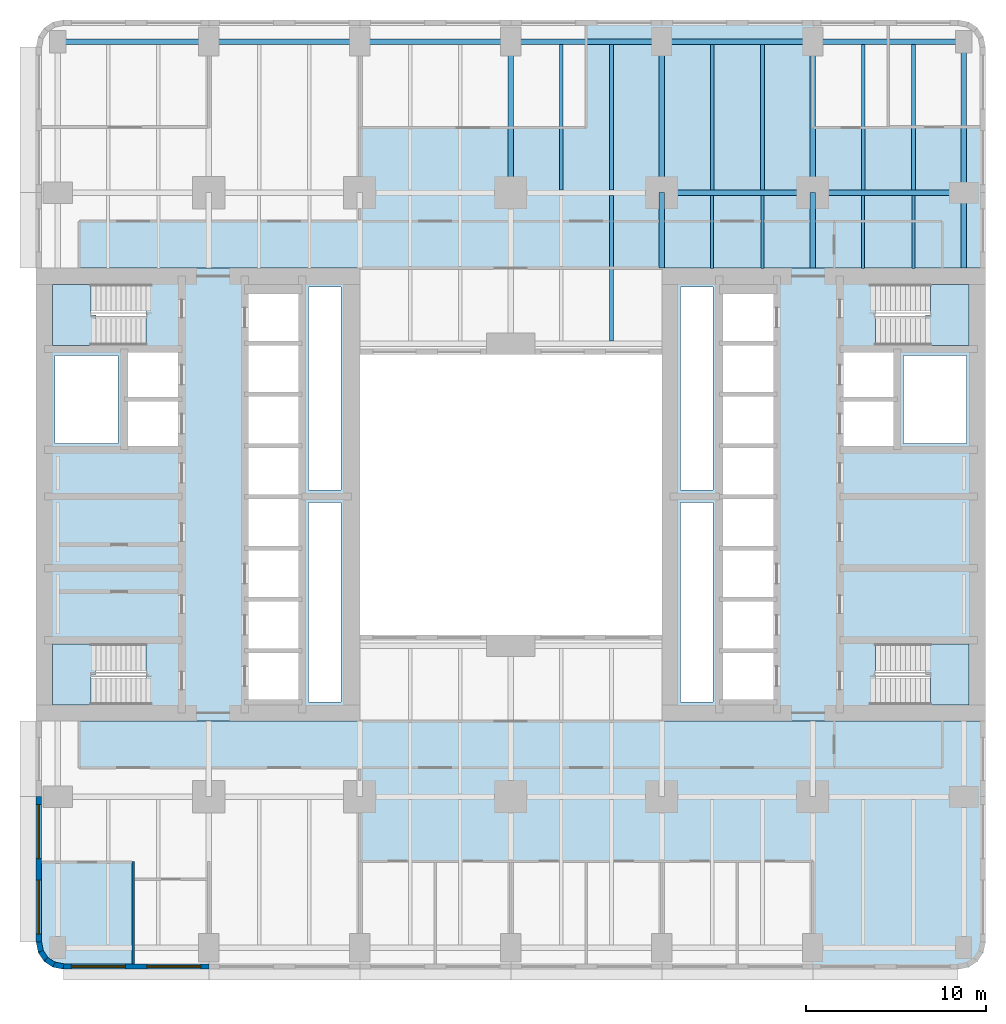
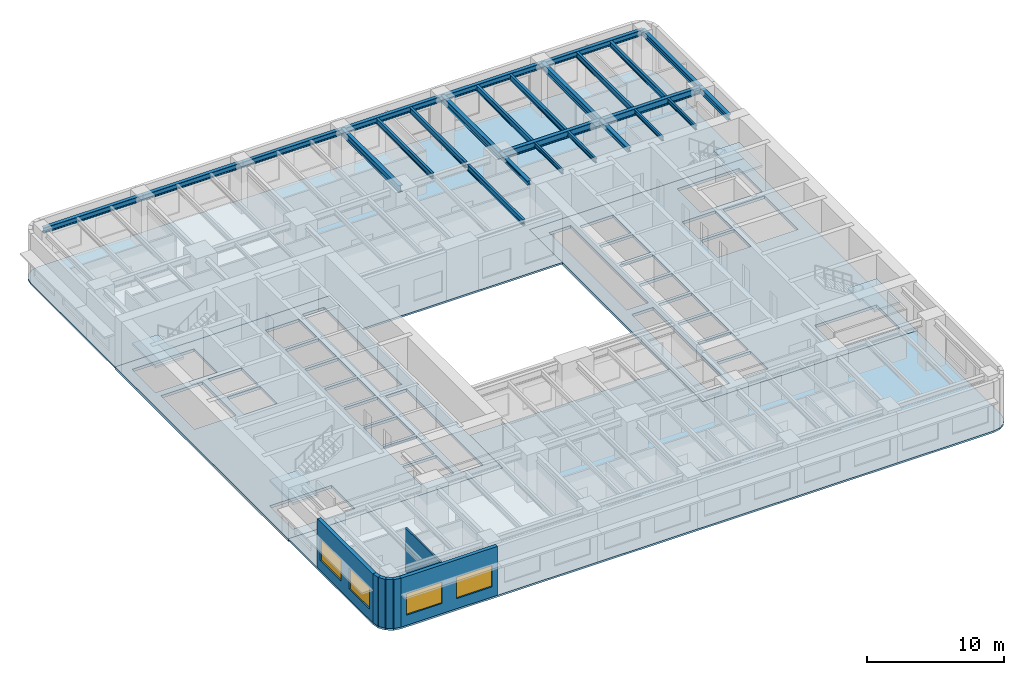
# One storey, part 2 of 12: 26 beams, 8 slabs, 7 walls, 4 windows, 4 openings, 4 elements without a shape of their own.
"""IFC4 building model written with IfcOpenShell, lengths in metres."""

from ifc_helpers import new_model, si_unit, direction, frame, frame_2d, origin, origin_2d, place, context, subcontext, project, spatial, polyline, rectangle, i_section, outline, extrude, material, layer, layer_set, material_profile, profile_set, type_object, element, fill, aggregate, save


model = new_model("IFC4")

# Units and contexts
model_context = context("Model", 3, precision=1e-05, world=origin(), true_north=direction((0.0, 1.0)))
body_context = subcontext(model_context, "Body", "Model", "MODEL_VIEW")
ifc_project = project(units=[si_unit("LENGTHUNIT", "METRE"), si_unit("AREAUNIT", "SQUARE_METRE"), si_unit("VOLUMEUNIT", "CUBIC_METRE"), si_unit("PLANEANGLEUNIT", "RADIAN"), si_unit("MASSUNIT", "GRAM", prefix="KILO")], contexts=[model_context])

# Site, building, storey
site_placement = place(None, origin())
site = spatial("IfcSite", under=ifc_project, at=site_placement, CompositionType="ELEMENT")
building_placement = place(site_placement, origin())
building = spatial("IfcBuilding", under=site, at=building_placement, Name="Claustro Exchange Tower", CompositionType="ELEMENT")
storey_placement = place(building_placement, frame((0.0, 0.0, 68.39990234375)))
storey = spatial("IfcBuildingStorey", under=building, at=storey_placement, Name="L15", CompositionType="ELEMENT", Elevation=68.39990234375)

# Beams
ifc_material_1 = material(Name="Steel S355", Category="steel")
ifc_material_profile_1 = material_profile(ifc_material_1, i_section(OverallWidth=0.300048828125, OverallDepth=0.60009765625, WebThickness=0.015380859375, FlangeThickness=0.030029296875, FilletRadius=0.027099609375, at=origin_2d()), Name="HE 600 B")
ifc_profile_set_1 = profile_set([ifc_material_profile_1], Name="Steel S355")
beam_type_1 = type_object("IfcBeamType", Name="B1 HE 600 B floor girder", PredefinedType="BEAM", material=ifc_profile_set_1)
for number, where, z_axis, x_axis, name in (
    (1, (25.199951171875, 42.0, 4.0400390625), (0.0, 1.0, 0.0), (-1.0, 0.0, 0.0), "Beam B1 L16"),
    (2, (33.60009765625, 42.0, 4.0400390625), (0.0, 1.0, 0.0), (-1.0, 0.0, 0.0), "Beam B1 L16"),
    (3, (42.0, 42.0, 4.0400390625), (0.0, 1.0, 0.0), (-1.0, 0.0, 0.0), "Beam B1 L16"),
    (4, (33.60009765625, 42.0, 4.0400390625), (1.0, 0.0, 0.0), (0.0, 1.0, 0.0), "Beam B1 L16"),
    (5, (42.0, 42.0, 4.0400390625), (1.0, 0.0, 0.0), (0.0, 1.0, 0.0), "Beam B1 L16"),
):
    element("IfcBeam", number, at=place(storey_placement, frame(where, z_axis=z_axis, x_axis=x_axis)), inside=storey, type_object=beam_type_1, Name=name, PredefinedType="BEAM", context=body_context, shape_type="SweptSolid", body=[
        extrude(i_section(OverallWidth=0.300048828125, OverallDepth=0.60009765625, WebThickness=0.015380859375, FlangeThickness=0.030029296875, FilletRadius=0.027099609375, at=origin_2d()), origin(), (0.0, 0.0, 1.0), 8.39990234375),
    ])
ifc_material_2 = material(Name="Steel S355", Category="steel")
ifc_material_profile_2 = material_profile(ifc_material_2, i_section(OverallWidth=0.169921875, OverallDepth=0.360107421875, WebThickness=0.008056640625, FlangeThickness=0.0126953125, FilletRadius=0.01806640625, at=origin_2d()), Name="IPE 360")
ifc_profile_set_2 = profile_set([ifc_material_profile_2], Name="Steel S355")
beam_type_2 = type_object("IfcBeamType", Name="B16 IPE 360 short-span beam", PredefinedType="BEAM", material=ifc_profile_set_2)
for number, where, z_axis, x_axis, name in (
    (6, (36.39990234375, 37.7900390625, 4.16015625), (0.0, 1.0, 0.0), (-1.0, 0.0, 0.0), "Beam B16 L16"),
    (7, (39.199951171875, 37.7900390625, 4.16015625), (0.0, 1.0, 0.0), (-1.0, 0.0, 0.0), "Beam B16 L16"),
    (8, (44.800048828125, 37.7900390625, 4.16015625), (0.0, 1.0, 0.0), (-1.0, 0.0, 0.0), "Beam B16 L16"),
    (9, (47.60009765625, 37.7900390625, 4.16015625), (0.0, 1.0, 0.0), (-1.0, 0.0, 0.0), "Beam B16 L16"),
):
    element("IfcBeam", number, at=place(storey_placement, frame(where, z_axis=z_axis, x_axis=x_axis)), inside=storey, type_object=beam_type_2, Name=name, PredefinedType="BEAM", context=body_context, shape_type="SweptSolid", body=[
        extrude(i_section(OverallWidth=0.169921875, OverallDepth=0.360107421875, WebThickness=0.008056640625, FlangeThickness=0.0126953125, FilletRadius=0.01806640625, at=origin_2d()), origin(), (0.0, 0.0, 1.0), 4.06005859375),
    ])
ifc_material_3 = material(Name="Steel S355", Category="steel")
ifc_material_profile_3 = material_profile(ifc_material_3, i_section(OverallWidth=0.199951171875, OverallDepth=0.5, WebThickness=0.01025390625, FlangeThickness=0.01611328125, FilletRadius=0.02099609375, at=origin_2d()), Name="IPE 500")
ifc_profile_set_3 = profile_set([ifc_material_profile_3], Name="Steel S355")
beam_type_3 = type_object("IfcBeamType", Name="B2 IPE 500 secondary beam", PredefinedType="BEAM", material=ifc_profile_set_3)
for number, where, z_axis, x_axis, name in (
    (10, (30.800048828125, 33.75, 4.090087890625), (0.0, 1.0, 0.0), (-1.0, 0.0, 0.0), "Beam B2 L16"),
    (11, (28.0, 42.14990234375, 4.090087890625), (0.0, 1.0, 0.0), (-1.0, 0.0, 0.0), "Beam B2 L16"),
    (12, (30.800048828125, 42.14990234375, 4.090087890625), (0.0, 1.0, 0.0), (-1.0, 0.0, 0.0), "Beam B2 L16"),
    (13, (36.39990234375, 42.14990234375, 4.090087890625), (0.0, 1.0, 0.0), (-1.0, 0.0, 0.0), "Beam B2 L16"),
    (14, (39.199951171875, 42.14990234375, 4.090087890625), (0.0, 1.0, 0.0), (-1.0, 0.0, 0.0), "Beam B2 L16"),
    (15, (44.800048828125, 42.14990234375, 4.090087890625), (0.0, 1.0, 0.0), (-1.0, 0.0, 0.0), "Beam B2 L16"),
    (16, (47.60009765625, 42.14990234375, 4.090087890625), (0.0, 1.0, 0.0), (-1.0, 0.0, 0.0), "Beam B2 L16"),
):
    element("IfcBeam", number, at=place(storey_placement, frame(where, z_axis=z_axis, x_axis=x_axis)), inside=storey, type_object=beam_type_3, Name=name, PredefinedType="BEAM", context=body_context, shape_type="SweptSolid", body=[
        extrude(i_section(OverallWidth=0.199951171875, OverallDepth=0.5, WebThickness=0.01025390625, FlangeThickness=0.01611328125, FilletRadius=0.02099609375, at=origin_2d()), origin(), (0.0, 0.0, 1.0), 8.10009765625),
    ])
ifc_material_4 = material(Name="Steel S355", Category="steel")
ifc_material_profile_4 = material_profile(ifc_material_4, i_section(OverallWidth=0.300048828125, OverallDepth=0.360107421875, WebThickness=0.012451171875, FlangeThickness=0.0224609375, FilletRadius=0.027099609375, at=origin_2d()), Name="HE 360 B")
ifc_profile_set_4 = profile_set([ifc_material_profile_4], Name="Steel S355")
beam_type_4 = type_object("IfcBeamType", Name="B29 HE 360 B column to core link beam", PredefinedType="BEAM", material=ifc_profile_set_4)
for number, where, z_axis, x_axis, name in (
    (17, (33.60009765625, 37.800048828125, 4.16015625), (0.0, 1.0, 0.0), (-1.0, 0.0, 0.0), "Beam B29 L16"),
    (18, (42.0, 37.800048828125, 4.16015625), (0.0, 1.0, 0.0), (-1.0, 0.0, 0.0), "Beam B29 L16"),
):
    element("IfcBeam", number, at=place(storey_placement, frame(where, z_axis=z_axis, x_axis=x_axis)), inside=storey, type_object=beam_type_4, Name=name, PredefinedType="BEAM", context=body_context, shape_type="SweptSolid", body=[
        extrude(i_section(OverallWidth=0.300048828125, OverallDepth=0.360107421875, WebThickness=0.012451171875, FlangeThickness=0.0224609375, FilletRadius=0.027099609375, at=origin_2d()), origin(), (0.0, 0.0, 1.0), 4.199951171875),
    ])
ifc_material_5 = material(Name="Steel S355", Category="steel")
ifc_material_profile_5 = material_profile(ifc_material_5, i_section(OverallWidth=0.300048828125, OverallDepth=0.5, WebThickness=0.014404296875, FlangeThickness=0.028076171875, FilletRadius=0.027099609375, at=origin_2d()), Name="HE 500 B")
ifc_profile_set_5 = profile_set([ifc_material_profile_5], Name="Steel S355")
beam_type_5 = type_object("IfcBeamType", Name="B3 HE 500 B spandrel edge girder", PredefinedType="SPANDREL", material=ifc_profile_set_5)
beam_1_placement = place(storey_placement, frame((50.39990234375, 37.800048828125, 4.090087890625), z_axis=(0.0, 1.0, 0.0), x_axis=(-1.0, 0.0, 0.0)))
element("IfcBeam", 19, at=beam_1_placement, inside=storey, type_object=beam_type_5, Name="Beam B3 L16", PredefinedType="SPANDREL", context=body_context, shape_type="SweptSolid", body=[
    extrude(i_section(OverallWidth=0.300048828125, OverallDepth=0.5, WebThickness=0.014404296875, FlangeThickness=0.028076171875, FilletRadius=0.027099609375, at=origin_2d()), origin(), (0.0, 0.0, 1.0), 4.199951171875),
])
for number, where, z_axis, x_axis, name in (
    (20, (50.39990234375, 42.0, 4.090087890625), (0.0, 1.0, 0.0), (-1.0, 0.0, 0.0), "Beam B3 L16"),
    (21, (0.0, 50.39990234375, 4.090087890625), (1.0, 0.0, 0.0), (0.0, 1.0, 0.0), "Beam B3 L16"),
):
    element("IfcBeam", number, at=place(storey_placement, frame(where, z_axis=z_axis, x_axis=x_axis)), inside=storey, type_object=beam_type_5, Name=name, PredefinedType="SPANDREL", context=body_context, shape_type="SweptSolid", body=[
        extrude(i_section(OverallWidth=0.300048828125, OverallDepth=0.5, WebThickness=0.014404296875, FlangeThickness=0.028076171875, FilletRadius=0.027099609375, at=origin_2d()), origin(), (0.0, 0.0, 1.0), 8.39990234375),
    ])
beam_2_placement = place(storey_placement, frame((8.39990234375, 50.39990234375, 4.090087890625), z_axis=(1.0, 0.0, 0.0), x_axis=(0.0, 1.0, 0.0)))
element("IfcBeam", 22, at=beam_2_placement, inside=storey, type_object=beam_type_5, Name="Beam B3 L16", PredefinedType="SPANDREL", context=body_context, shape_type="SweptSolid", body=[
    extrude(i_section(OverallWidth=0.300048828125, OverallDepth=0.5, WebThickness=0.014404296875, FlangeThickness=0.028076171875, FilletRadius=0.027099609375, at=origin_2d()), origin(), (0.0, 0.0, 1.0), 8.400146484375),
])
beam_3_placement = place(storey_placement, frame((16.800048828125, 50.39990234375, 4.090087890625), z_axis=(1.0, 0.0, 0.0), x_axis=(0.0, 1.0, 0.0)))
element("IfcBeam", 23, at=beam_3_placement, inside=storey, type_object=beam_type_5, Name="Beam B3 L16", PredefinedType="SPANDREL", context=body_context, shape_type="SweptSolid", body=[
    extrude(i_section(OverallWidth=0.300048828125, OverallDepth=0.5, WebThickness=0.014404296875, FlangeThickness=0.028076171875, FilletRadius=0.027099609375, at=origin_2d()), origin(), (0.0, 0.0, 1.0), 8.39990234375),
])
beam_4_placement = place(storey_placement, frame((25.199951171875, 50.39990234375, 4.090087890625), z_axis=(1.0, 0.0, 0.0), x_axis=(0.0, 1.0, 0.0)))
element("IfcBeam", 24, at=beam_4_placement, inside=storey, type_object=beam_type_5, Name="Beam B3 L16", PredefinedType="SPANDREL", context=body_context, shape_type="SweptSolid", body=[
    extrude(i_section(OverallWidth=0.300048828125, OverallDepth=0.5, WebThickness=0.014404296875, FlangeThickness=0.028076171875, FilletRadius=0.027099609375, at=origin_2d()), origin(), (0.0, 0.0, 1.0), 8.400146484375),
])
for number, where, z_axis, x_axis, name in (
    (25, (33.60009765625, 50.39990234375, 4.090087890625), (1.0, 0.0, 0.0), (0.0, 1.0, 0.0), "Beam B3 L16"),
    (26, (42.0, 50.39990234375, 4.090087890625), (1.0, 0.0, 0.0), (0.0, 1.0, 0.0), "Beam B3 L16"),
):
    element("IfcBeam", number, at=place(storey_placement, frame(where, z_axis=z_axis, x_axis=x_axis)), inside=storey, type_object=beam_type_5, Name=name, PredefinedType="SPANDREL", context=body_context, shape_type="SweptSolid", body=[
        extrude(i_section(OverallWidth=0.300048828125, OverallDepth=0.5, WebThickness=0.014404296875, FlangeThickness=0.028076171875, FilletRadius=0.027099609375, at=origin_2d()), origin(), (0.0, 0.0, 1.0), 8.39990234375),
    ])

# Slabs
ifc_material_6 = material(Name="Concrete HA-50 (C50/60)", Category="concrete")
ifc_layer_1 = layer(ifc_material_6, 0.159912109375)
ifc_layer_set_1 = layer_set([ifc_layer_1], Name="Concrete HA-50 (C50/60)")
slab_type_1 = type_object("IfcSlabType", Name="S1 160 composite floor slab", PredefinedType="FLOOR", material=ifc_layer_set_1)
slab_1_placement = place(storey_placement, frame((0.0, 0.0, -0.159912109375)))
element("IfcSlab", 27, at=slab_1_placement, inside=storey, type_object=slab_type_1, Name="Floor slab S1 S L15", PredefinedType="FLOOR", context=body_context, shape_type="SweptSolid", body=[
    extrude(outline(polyline([(-0.27392578125, -1.085693359375), (0.300048828125, -1.199951171875), (50.10009765625, -1.199951171875), (50.674072265625, -1.085693359375), (51.16064453125, -0.7607421875), (51.48583984375, -0.27392578125), (51.60009765625, 0.300048828125), (51.60009765625, 12.60009765625), (33.60009765625, 12.60009765625), (33.60009765625, 17.39990234375), (16.800048828125, 17.39990234375), (16.800048828125, 12.60009765625), (-1.199951171875, 12.60009765625), (-1.199951171875, 0.300048828125), (-1.085693359375, -0.27392578125), (-0.7607421875, -0.7607421875), (-0.27392578125, -1.085693359375)])), origin(), (0.0, 0.0, 1.0), 0.159912109375),
])
slab_2_placement = place(storey_placement, frame((0.0, 0.0, -0.159912109375)))
element("IfcSlab", 28, at=slab_2_placement, inside=storey, type_object=slab_type_1, Name="Floor slab S1 N L15", PredefinedType="FLOOR", context=body_context, shape_type="SweptSolid", body=[
    extrude(outline(polyline([(16.800048828125, 37.800048828125), (16.800048828125, 33.0), (33.60009765625, 33.0), (33.60009765625, 37.800048828125), (51.60009765625, 37.800048828125), (51.60009765625, 50.10009765625), (51.48583984375, 50.674072265625), (51.16064453125, 51.16064453125), (50.674072265625, 51.48583984375), (50.10009765625, 51.60009765625), (0.300048828125, 51.60009765625), (-0.27392578125, 51.48583984375), (-0.7607421875, 51.16064453125), (-1.085693359375, 50.674072265625), (-1.199951171875, 50.10009765625), (-1.199951171875, 37.800048828125), (16.800048828125, 37.800048828125)])), origin(), (0.0, 0.0, 1.0), 0.159912109375),
])
ifc_material_7 = material(Name="Concrete HA-50 (C50/60)", Category="concrete")
ifc_layer_2 = layer(ifc_material_7, 0.25)
ifc_layer_set_2 = layer_set([ifc_layer_2], Name="Concrete HA-50 (C50/60)")
slab_type_2 = type_object("IfcSlabType", Name="S7 250 core floor slab", PredefinedType="FLOOR", material=ifc_layer_set_2)
slab_3_placement = place(storey_placement, frame((0.0, 0.0, -0.25)))
element("IfcSlab", 29, at=slab_3_placement, inside=storey, type_object=slab_type_2, Name="Core floor slab S7 W core L15", PredefinedType="FLOOR", context=body_context, shape_type="SweptSolid", body=[
    extrude(outline(polyline([(-1.199951171875, 12.60009765625), (16.800048828125, 12.60009765625), (16.800048828125, 37.800048828125), (-1.199951171875, 37.800048828125), (-1.199951171875, 12.60009765625)]), holes=[polyline([(15.75, 24.75), (15.75, 13.64990234375), (13.949951171875, 13.64990234375), (13.949951171875, 24.75), (15.75, 24.75)]), polyline([(15.75, 36.75), (15.75, 25.449951171875), (13.949951171875, 25.449951171875), (13.949951171875, 36.75), (15.75, 36.75)]), polyline([(10.60009765625, 16.39990234375), (13.39990234375, 16.39990234375), (13.39990234375, 13.800048828125), (10.60009765625, 13.800048828125), (10.60009765625, 16.39990234375)]), polyline([(13.39990234375, 19.25), (13.39990234375, 16.64990234375), (10.60009765625, 16.64990234375), (10.60009765625, 19.25), (13.39990234375, 19.25)]), polyline([(13.39990234375, 22.10009765625), (13.39990234375, 19.5), (10.60009765625, 19.5), (10.60009765625, 22.10009765625), (13.39990234375, 22.10009765625)]), polyline([(13.39990234375, 24.949951171875), (13.39990234375, 22.35009765625), (10.60009765625, 22.35009765625), (10.60009765625, 24.949951171875), (13.39990234375, 24.949951171875)]), polyline([(13.39990234375, 27.800048828125), (13.39990234375, 25.199951171875), (10.60009765625, 25.199951171875), (10.60009765625, 27.800048828125), (13.39990234375, 27.800048828125)]), polyline([(13.39990234375, 30.64990234375), (13.39990234375, 28.050048828125), (10.60009765625, 28.050048828125), (10.60009765625, 30.64990234375), (13.39990234375, 30.64990234375)]), polyline([(13.39990234375, 33.5), (13.39990234375, 30.89990234375), (10.60009765625, 30.89990234375), (10.60009765625, 33.5), (13.39990234375, 33.5)]), polyline([(13.39990234375, 36.35009765625), (13.39990234375, 33.75), (10.60009765625, 33.75), (10.60009765625, 36.35009765625), (13.39990234375, 36.35009765625)]), polyline([(6.699951171875, 30.375), (6.699951171875, 27.89990234375), (3.89990234375, 27.89990234375), (3.89990234375, 30.375), (6.699951171875, 30.375)]), polyline([(6.699951171875, 33.10009765625), (6.699951171875, 30.625), (3.89990234375, 30.625), (3.89990234375, 33.10009765625), (6.699951171875, 33.10009765625)]), polyline([(-0.300048828125, 15.199951171875), (-0.300048828125, 16.89990234375), (4.9150390625, 16.89990234375), (4.9150390625, 15.199951171875), (4.919921875, 15.199951171875), (4.919921875, 13.5), (-0.300048828125, 13.5), (-0.300048828125, 15.199951171875)]), polyline([(-0.300048828125, 36.89990234375), (4.919921875, 36.89990234375), (4.919921875, 35.199951171875), (4.9150390625, 35.199951171875), (4.9150390625, 33.5), (-0.300048828125, 33.5), (-0.300048828125, 35.199951171875), (-0.300048828125, 36.89990234375)]), polyline([(3.35009765625, 32.949951171875), (3.35009765625, 28.050048828125), (-0.14990234375, 28.050048828125), (-0.14990234375, 32.949951171875), (3.35009765625, 32.949951171875)])]), origin(), (0.0, 0.0, 1.0), 0.25),
])
slab_4_placement = place(storey_placement, frame((0.0, 0.0, -0.25)))
element("IfcSlab", 30, at=slab_4_placement, inside=storey, type_object=slab_type_2, Name="Core floor slab S7 E core L15", PredefinedType="FLOOR", context=body_context, shape_type="SweptSolid", body=[
    extrude(outline(polyline([(33.60009765625, 12.60009765625), (51.60009765625, 12.60009765625), (51.60009765625, 37.800048828125), (33.60009765625, 37.800048828125), (33.60009765625, 12.60009765625)]), holes=[polyline([(45.47998046875, 35.199951171875), (45.47998046875, 36.89990234375), (50.699951171875, 36.89990234375), (50.699951171875, 35.199951171875), (50.699951171875, 33.5), (45.485107421875, 33.5), (45.485107421875, 35.199951171875), (45.47998046875, 35.199951171875)]), polyline([(45.485107421875, 15.199951171875), (45.485107421875, 16.89990234375), (50.699951171875, 16.89990234375), (50.699951171875, 15.199951171875), (50.699951171875, 13.5), (45.47998046875, 13.5), (45.47998046875, 15.199951171875), (45.485107421875, 15.199951171875)]), polyline([(50.550048828125, 32.949951171875), (50.550048828125, 28.050048828125), (47.050048828125, 28.050048828125), (47.050048828125, 32.949951171875), (50.550048828125, 32.949951171875)]), polyline([(46.5, 30.375), (46.5, 27.89990234375), (43.699951171875, 27.89990234375), (43.699951171875, 30.375), (46.5, 30.375)]), polyline([(46.5, 33.10009765625), (46.5, 30.625), (43.699951171875, 30.625), (43.699951171875, 33.10009765625), (46.5, 33.10009765625)]), polyline([(37.0, 16.39990234375), (39.800048828125, 16.39990234375), (39.800048828125, 13.800048828125), (37.0, 13.800048828125), (37.0, 16.39990234375)]), polyline([(39.800048828125, 19.25), (39.800048828125, 16.64990234375), (37.0, 16.64990234375), (37.0, 19.25), (39.800048828125, 19.25)]), polyline([(39.800048828125, 22.10009765625), (39.800048828125, 19.5), (37.0, 19.5), (37.0, 22.10009765625), (39.800048828125, 22.10009765625)]), polyline([(39.800048828125, 24.949951171875), (39.800048828125, 22.35009765625), (37.0, 22.35009765625), (37.0, 24.949951171875), (39.800048828125, 24.949951171875)]), polyline([(39.800048828125, 27.800048828125), (39.800048828125, 25.199951171875), (37.0, 25.199951171875), (37.0, 27.800048828125), (39.800048828125, 27.800048828125)]), polyline([(39.800048828125, 30.64990234375), (39.800048828125, 28.050048828125), (37.0, 28.050048828125), (37.0, 30.64990234375), (39.800048828125, 30.64990234375)]), polyline([(39.800048828125, 33.5), (39.800048828125, 30.89990234375), (37.0, 30.89990234375), (37.0, 33.5), (39.800048828125, 33.5)]), polyline([(39.800048828125, 36.35009765625), (39.800048828125, 33.75), (37.0, 33.75), (37.0, 36.35009765625), (39.800048828125, 36.35009765625)]), polyline([(36.449951171875, 24.75), (36.449951171875, 13.64990234375), (34.64990234375, 13.64990234375), (34.64990234375, 24.75), (36.449951171875, 24.75)]), polyline([(36.449951171875, 36.75), (36.449951171875, 25.449951171875), (34.64990234375, 25.449951171875), (34.64990234375, 36.75), (36.449951171875, 36.75)])]), origin(), (0.0, 0.0, 1.0), 0.25),
])

# Stair, slab
ifc_material_8 = material(Name="Concrete HA-30 (C30/37), precast", Category="concrete")
stair_type = type_object("IfcStairType", Name="ST2 half-turn stair, 25 risers of 180", PredefinedType="HALF_TURN_STAIR", material=ifc_material_8)
stair_1_placement = place(storey_placement, origin())
stair_1 = element("IfcStair", 31, at=stair_1_placement, inside=storey, type_object=stair_type, Name="Stair STWA L15", PredefinedType="HALF_TURN_STAIR")
ifc_material_9 = material(Name="Concrete HA-30 (C30/37), precast", Category="concrete")
ifc_layer_3 = layer(ifc_material_9, 0.199951171875)
ifc_layer_set_3 = layer_set([ifc_layer_3], Name="Concrete HA-30 (C30/37), precast")
slab_type_3 = type_object("IfcSlabType", Name="S9 200 stair landing", PredefinedType="LANDING", material=ifc_layer_set_3)
slab_5_placement = place(storey_placement, frame((0.0, 0.0, 2.14013671875)))
slab_5 = element("IfcSlab", 32, at=slab_5_placement, type_object=slab_type_3, Name="STWA landing 1", PredefinedType="LANDING", context=body_context, shape_type="SweptSolid", body=[
    extrude(outline(polyline([(1.844970703125, 13.5), (-0.300048828125, 13.5), (-0.300048828125, 16.89990234375), (1.840087890625, 16.89990234375), (1.844970703125, 16.89990234375), (2.1201171875, 16.89990234375), (2.1201171875, 15.199951171875), (1.844970703125, 15.199951171875), (1.844970703125, 13.5)])), origin(), (0.0, 0.0, 1.0), 0.199951171875),
])
aggregate(stair_1, [slab_5])

stair_2_placement = place(storey_placement, origin())
stair_2 = element("IfcStair", 33, at=stair_2_placement, inside=storey, type_object=stair_type, Name="Stair STWB L15", PredefinedType="HALF_TURN_STAIR")
slab_6_placement = place(storey_placement, frame((0.0, 0.0, 2.14013671875)))
slab_6 = element("IfcSlab", 34, at=slab_6_placement, type_object=slab_type_3, Name="STWB landing 1", PredefinedType="LANDING", context=body_context, shape_type="SweptSolid", body=[
    extrude(outline(polyline([(2.1201171875, 35.199951171875), (2.1201171875, 33.5), (1.844970703125, 33.5), (1.840087890625, 33.5), (-0.300048828125, 33.5), (-0.300048828125, 36.89990234375), (1.844970703125, 36.89990234375), (1.844970703125, 35.199951171875), (2.1201171875, 35.199951171875)])), origin(), (0.0, 0.0, 1.0), 0.199951171875),
])
aggregate(stair_2, [slab_6])

stair_3_placement = place(storey_placement, origin())
stair_3 = element("IfcStair", 35, at=stair_3_placement, inside=storey, type_object=stair_type, Name="Stair STEA L15", PredefinedType="HALF_TURN_STAIR")
slab_7_placement = place(storey_placement, frame((0.0, 0.0, 2.14013671875)))
slab_7 = element("IfcSlab", 36, at=slab_7_placement, type_object=slab_type_3, Name="STEA landing 1", PredefinedType="LANDING", context=body_context, shape_type="SweptSolid", body=[
    extrude(outline(polyline([(50.699951171875, 16.89990234375), (50.699951171875, 13.5), (48.554931640625, 13.5), (48.554931640625, 15.199951171875), (48.280029296875, 15.199951171875), (48.280029296875, 16.89990234375), (48.554931640625, 16.89990234375), (48.56005859375, 16.89990234375), (50.699951171875, 16.89990234375)])), origin(), (0.0, 0.0, 1.0), 0.199951171875),
])
aggregate(stair_3, [slab_7])

stair_4_placement = place(storey_placement, origin())
stair_4 = element("IfcStair", 37, at=stair_4_placement, inside=storey, type_object=stair_type, Name="Stair STEB L15", PredefinedType="HALF_TURN_STAIR")
slab_8_placement = place(storey_placement, frame((0.0, 0.0, 2.14013671875)))
slab_8 = element("IfcSlab", 38, at=slab_8_placement, type_object=slab_type_3, Name="STEB landing 1", PredefinedType="LANDING", context=body_context, shape_type="SweptSolid", body=[
    extrude(outline(polyline([(48.280029296875, 33.5), (48.280029296875, 35.199951171875), (48.554931640625, 35.199951171875), (48.554931640625, 36.89990234375), (50.699951171875, 36.89990234375), (50.699951171875, 33.5), (48.56005859375, 33.5), (48.554931640625, 33.5), (48.280029296875, 33.5)])), origin(), (0.0, 0.0, 1.0), 0.199951171875),
])
aggregate(stair_4, [slab_8])

# Wall
ifc_material_10 = material(Name="Gypsum board on steel studs", Category="steel")
ifc_layer_4 = layer(ifc_material_10, 0.14990234375)
ifc_layer_set_4 = layer_set([ifc_layer_4], Name="Gypsum board on steel studs")
wall_type_1 = type_object("IfcWallType", Name="P1 150 plasterboard partition", PredefinedType="PARTITIONING", material=ifc_layer_set_4)
wall_1_placement = place(storey_placement, frame((4.199951171875, -0.902099609375, 0.0), z_axis=(0.0, 0.0, 1.0), x_axis=(0.0, 1.0, 0.0)))
element("IfcWall", 39, at=wall_1_placement, inside=storey, type_object=wall_type_1, Name="Partition P1 L15", PredefinedType="PARTITIONING", context=body_context, shape_type="SweptSolid", body=[
    extrude(rectangle(XDim=5.7021484375, YDim=0.14990234375, at=frame_2d((2.85107421875, 0.0))), origin(), (0.0, 0.0, 1.0), 3.840087890625),
])

# Wall, openings, windows
ifc_material_11 = material(Name="Concrete HA-40 (C40/50), precast, white cement, acid-etched", Category="concrete")
ifc_layer_5 = layer(ifc_material_11, 0.300048828125)
ifc_layer_set_5 = layer_set([ifc_layer_5], Name="Concrete HA-40 (C40/50), precast, white cement, acid-etched")
wall_type_2 = type_object("IfcWallType", Name="PC1 300 precast concrete pier panel", PredefinedType="SOLIDWALL", material=ifc_layer_set_5)
wall_2_placement = place(storey_placement, frame((8.39990234375, -1.050048828125, 0.0), z_axis=(0.0, 0.0, 1.0), x_axis=(-1.0, 0.0, 0.0)))
wall_2 = element("IfcWall", 40, at=wall_2_placement, inside=storey, type_object=wall_type_2, Name="Precast pier panel PC1 L15", PredefinedType="SOLIDWALL", context=body_context, shape_type="SweptSolid", body=[
    extrude(rectangle(XDim=8.085205078125, YDim=0.300048828125, at=frame_2d((4.04248046875, 0.0))), origin(), (0.0, 0.0, 1.0), 4.340087890625),
])
opening_1_placement = place(wall_2_placement, frame((0.442626953125, 0.0, 0.89990234375)))
opening_1 = element("IfcOpeningElement", 41, at=opening_1_placement, cuts=wall_2, Name="Opening W1", PredefinedType="OPENING", context=body_context, shape_type="SweptSolid", body=[
    extrude(rectangle(XDim=3.0, YDim=1.89990234375, at=frame_2d((1.5, 0.949951171875))), frame((0.0, 0.159912109375, 0.0), z_axis=(0.0, -1.0, 0.0), x_axis=(1.0, 0.0, 0.0)), (0.0, 0.0, 1.0), 0.320068359375),
])
opening_2_placement = place(wall_2_placement, frame((4.642578125, 0.0, 0.89990234375)))
opening_2 = element("IfcOpeningElement", 42, at=opening_2_placement, cuts=wall_2, Name="Opening W1", PredefinedType="OPENING", context=body_context, shape_type="SweptSolid", body=[
    extrude(rectangle(XDim=3.0, YDim=1.89990234375, at=frame_2d((1.5, 0.949951171875))), frame((0.0, 0.159912109375, 0.0), z_axis=(0.0, -1.0, 0.0), x_axis=(1.0, 0.0, 0.0)), (0.0, 0.0, 1.0), 0.320068359375),
])
ifc_material_12 = material(Name="Aluminium frame, clear double glazing", Category="aluminium")
window_type = type_object("IfcWindowType", Name="W1 3000 x 1900 window", PartitioningType="SINGLE_PANEL", PredefinedType="WINDOW", material=ifc_material_12)
window_1_placement = place(opening_1_placement, origin())
window_1 = element("IfcWindow", 43, at=window_1_placement, inside=storey, type_object=window_type, Name="Window W1 L15", OverallHeight=1.89990234375, OverallWidth=3.0, PartitioningType="SINGLE_PANEL", PredefinedType="WINDOW", context=body_context, shape_type="SweptSolid", body=[
    extrude(rectangle(XDim=3.0, YDim=1.89990234375, at=frame_2d((1.5, 0.949951171875))), frame((0.0, 0.030029296875, 0.0), z_axis=(0.0, -1.0, 0.0), x_axis=(1.0, 0.0, 0.0)), (0.0, 0.0, 1.0), 0.06005859375),
])
fill(opening_1, window_1)
window_2_placement = place(opening_2_placement, origin())
window_2 = element("IfcWindow", 44, at=window_2_placement, inside=storey, type_object=window_type, Name="Window W1 L15", OverallHeight=1.89990234375, OverallWidth=3.0, PartitioningType="SINGLE_PANEL", PredefinedType="WINDOW", context=body_context, shape_type="SweptSolid", body=[
    extrude(rectangle(XDim=3.0, YDim=1.89990234375, at=frame_2d((1.5, 0.949951171875))), frame((0.0, 0.030029296875, 0.0), z_axis=(0.0, -1.0, 0.0), x_axis=(1.0, 0.0, 0.0)), (0.0, 0.0, 1.0), 0.06005859375),
])
fill(opening_2, window_2)

# Walls
wall_3_placement = place(storey_placement, frame((0.314697265625, -1.050048828125, 0.0), z_axis=(0.0, 0.0, 1.0), x_axis=(-0.980788534345, 0.195073962632, 0.0)))
element("IfcWall", 45, at=wall_3_placement, inside=storey, type_object=wall_type_2, Name="Precast pier panel PC1 L15", PredefinedType="SOLIDWALL", context=body_context, shape_type="SweptSolid", body=[
    extrude(rectangle(XDim=0.540771484375, YDim=0.300048828125, at=frame_2d((0.2705078125, 0.0))), origin(), (0.0, 0.0, 1.0), 4.340087890625),
])
for number, where, z_axis, x_axis, name in (
    (46, (-0.215576171875, -0.944580078125, 0.0), (0.0, 0.0, 1.0), (-0.831478144188, 0.555557463938, 0.0), "Precast pier panel PC1 L15"),
    (47, (-0.652587890625, -0.652587890625, 0.0), (0.0, 0.0, 1.0), (-0.555557463938, 0.831478144188, 0.0), "Precast pier panel PC1 L15"),
):
    element("IfcWall", number, at=place(storey_placement, frame(where, z_axis=z_axis, x_axis=x_axis)), inside=storey, type_object=wall_type_2, Name=name, PredefinedType="SOLIDWALL", context=body_context, shape_type="SweptSolid", body=[
        extrude(rectangle(XDim=0.525634765625, YDim=0.300048828125, at=frame_2d((0.2626953125, 0.0))), origin(), (0.0, 0.0, 1.0), 4.340087890625),
    ])
wall_4_placement = place(storey_placement, frame((-0.944580078125, -0.215576171875, 0.0), z_axis=(0.0, 0.0, 1.0), x_axis=(-0.195073962632, 0.980788534345, 0.0)))
element("IfcWall", 48, at=wall_4_placement, inside=storey, type_object=wall_type_2, Name="Precast pier panel PC1 L15", PredefinedType="SOLIDWALL", context=body_context, shape_type="SweptSolid", body=[
    extrude(rectangle(XDim=0.540771484375, YDim=0.300048828125, at=frame_2d((0.2705078125, 0.0))), origin(), (0.0, 0.0, 1.0), 4.340087890625),
])

# Wall, openings, windows
wall_5_placement = place(storey_placement, frame((-1.050048828125, 0.314697265625, 0.0), z_axis=(0.0, 0.0, 1.0), x_axis=(0.0, 1.0, 0.0)))
wall_5 = element("IfcWall", 49, at=wall_5_placement, inside=storey, type_object=wall_type_2, Name="Precast pier panel PC1 L15", PredefinedType="SOLIDWALL", context=body_context, shape_type="SweptSolid", body=[
    extrude(rectangle(XDim=8.085205078125, YDim=0.300048828125, at=frame_2d((4.04248046875, 0.0))), origin(), (0.0, 0.0, 1.0), 4.340087890625),
])
opening_3_placement = place(wall_5_placement, frame((0.442626953125, 0.0, 0.89990234375)))
opening_3 = element("IfcOpeningElement", 50, at=opening_3_placement, cuts=wall_5, Name="Opening W1", PredefinedType="OPENING", context=body_context, shape_type="SweptSolid", body=[
    extrude(rectangle(XDim=3.0, YDim=1.89990234375, at=frame_2d((1.5, 0.949951171875))), frame((0.0, 0.159912109375, 0.0), z_axis=(0.0, -1.0, 0.0), x_axis=(1.0, 0.0, 0.0)), (0.0, 0.0, 1.0), 0.320068359375),
])
opening_4_placement = place(wall_5_placement, frame((4.642578125, 0.0, 0.89990234375)))
opening_4 = element("IfcOpeningElement", 51, at=opening_4_placement, cuts=wall_5, Name="Opening W1", PredefinedType="OPENING", context=body_context, shape_type="SweptSolid", body=[
    extrude(rectangle(XDim=3.0, YDim=1.89990234375, at=frame_2d((1.5, 0.949951171875))), frame((0.0, 0.159912109375, 0.0), z_axis=(0.0, -1.0, 0.0), x_axis=(1.0, 0.0, 0.0)), (0.0, 0.0, 1.0), 0.320068359375),
])
window_3_placement = place(opening_3_placement, origin())
window_3 = element("IfcWindow", 52, at=window_3_placement, inside=storey, type_object=window_type, Name="Window W1 L15", OverallHeight=1.89990234375, OverallWidth=3.0, PartitioningType="SINGLE_PANEL", PredefinedType="WINDOW", context=body_context, shape_type="SweptSolid", body=[
    extrude(rectangle(XDim=3.0, YDim=1.89990234375, at=frame_2d((1.5, 0.949951171875))), frame((0.0, 0.030029296875, 0.0), z_axis=(0.0, -1.0, 0.0), x_axis=(1.0, 0.0, 0.0)), (0.0, 0.0, 1.0), 0.06005859375),
])
fill(opening_3, window_3)
window_4_placement = place(opening_4_placement, origin())
window_4 = element("IfcWindow", 53, at=window_4_placement, inside=storey, type_object=window_type, Name="Window W1 L15", OverallHeight=1.89990234375, OverallWidth=3.0, PartitioningType="SINGLE_PANEL", PredefinedType="WINDOW", context=body_context, shape_type="SweptSolid", body=[
    extrude(rectangle(XDim=3.0, YDim=1.89990234375, at=frame_2d((1.5, 0.949951171875))), frame((0.0, 0.030029296875, 0.0), z_axis=(0.0, -1.0, 0.0), x_axis=(1.0, 0.0, 0.0)), (0.0, 0.0, 1.0), 0.06005859375),
])
fill(opening_4, window_4)

save(model, "model.ifc")
